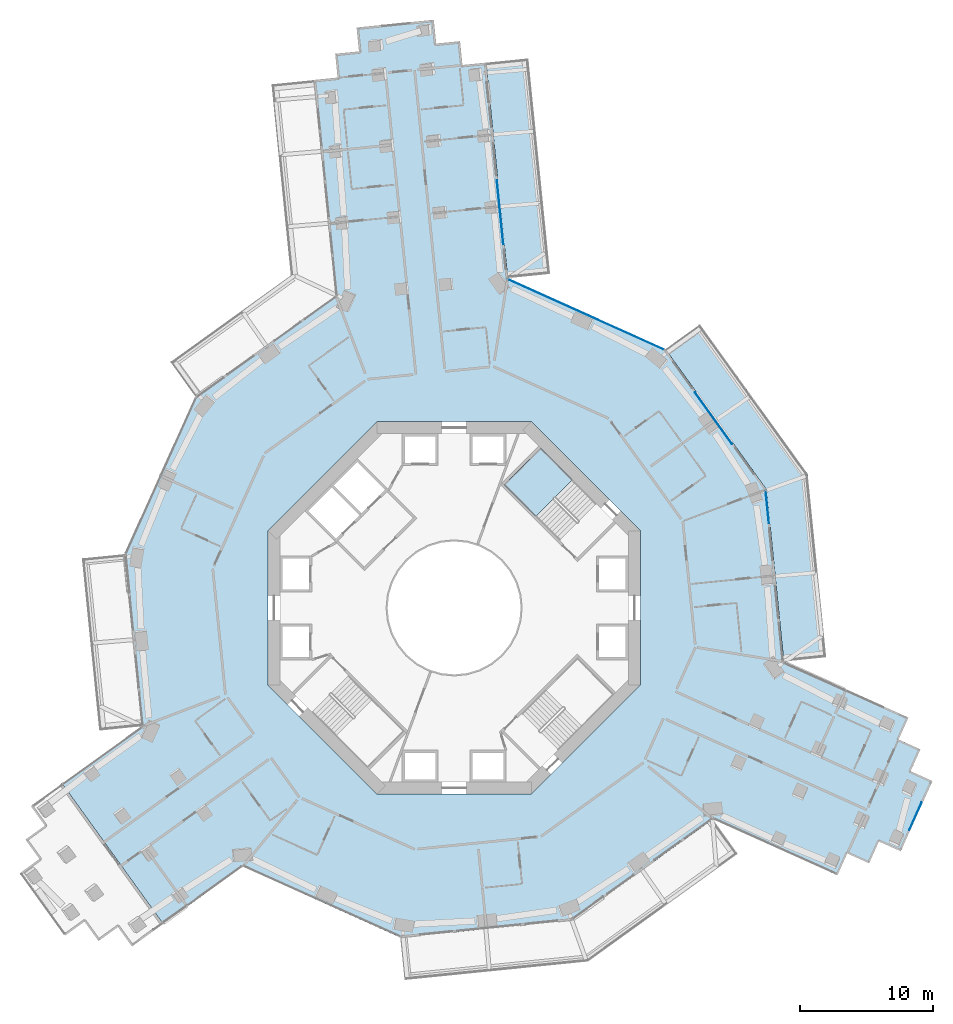
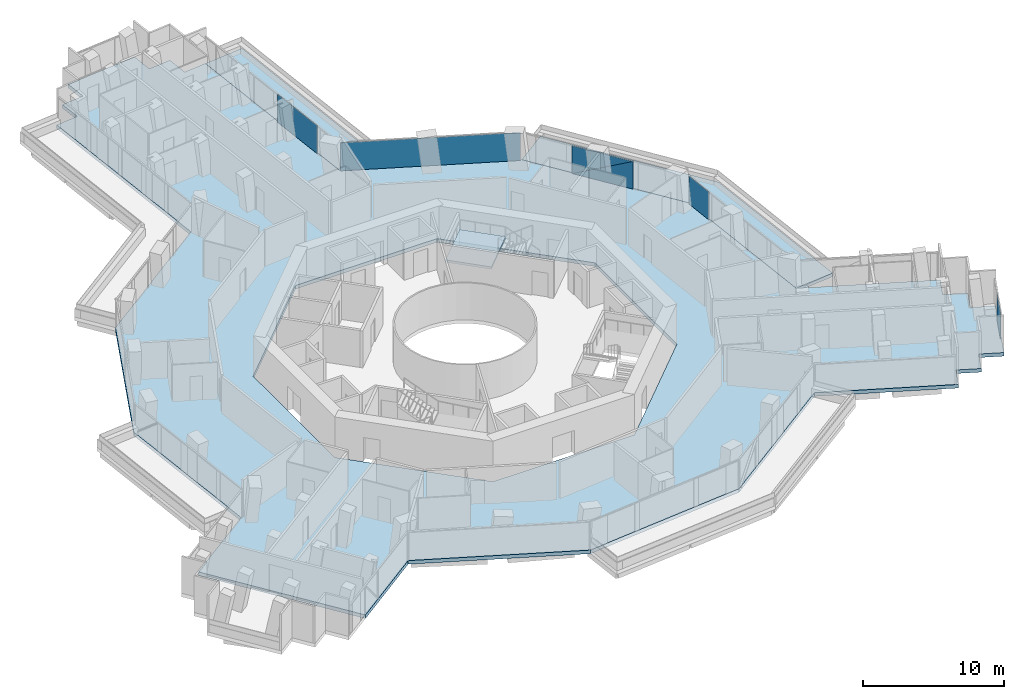
# One storey, part 16 of 26: 6 plates, 4 slabs, 6 elements without a shape of their own.
"""IFC4 building model written with IfcOpenShell, lengths in metres."""

import ifcopenshell
import ifcopenshell.guid

model = None  # the IFC model being written
_history = None  # IfcOwnerHistory: only IFC2X3 demands one
_inside = {}  # id of a spatial element -> (the spatial element, [elements in it])
_under = {}  # id of a project, library or spatial element -> (it, [spatial elements below it])
_declared = {}  # id of a project -> (the project, [libraries it declares])
_typed = {}  # id of a type object -> (the type object, [elements of that type])
_made_of = {}  # id of a material, layer set ... -> (it, [elements and type objects made of it])


def new_model(schema):
    """Start an empty IFC model of exactly this schema.

    Asked for "IFC4X3", IfcOpenShell would pick the latest addendum, in which some entities
    have other attributes; the version numbers below select the first issue.
    IFC2X3 requires an IfcOwnerHistory on every rooted entity: one is made here for all.
    """
    global model, _history
    if schema == "IFC4X3":
        model = ifcopenshell.file(schema_version=(4, 3, 0, 0))
    else:
        model = ifcopenshell.file(schema=schema)
    _inside.clear()
    _under.clear()
    _declared.clear()
    _typed.clear()
    _made_of.clear()
    _history = None
    if model.schema == "IFC2X3":
        org = make("IfcOrganization", Name="unknown")
        user = make(
            "IfcPersonAndOrganization",
            ThePerson=make("IfcPerson", FamilyName="unknown"),
            TheOrganization=org,
        )
        app = make(
            "IfcApplication",
            ApplicationDeveloper=org,
            Version="unknown",
            ApplicationFullName="unknown",
            ApplicationIdentifier="unknown",
        )
        _history = make(
            "IfcOwnerHistory",
            OwningUser=user,
            OwningApplication=app,
            ChangeAction="ADDED",
            CreationDate=0,
        )
    return model


def make(cls, **values):
    """One entity of the class cls with the attributes given. An attribute that is None is left unset."""
    return model.create_entity(
        cls, **{name: value for name, value in values.items() if value is not None}
    )


def rooted(cls, **values):
    """An entity with a GlobalId (a new one), such as an element, a storey or a relation."""
    return make(cls, GlobalId=ifcopenshell.guid.new(), OwnerHistory=_history, **values)


def si_unit(unit_type, name, prefix=None):
    """IfcSIUnit, for example si_unit("LENGTHUNIT", "METRE", prefix="MILLI")."""
    return make("IfcSIUnit", UnitType=unit_type, Prefix=prefix, Name=name)


def assignment(units):
    """IfcUnitAssignment: the units of a project."""
    return None if units is None else make("IfcUnitAssignment", Units=units)


def point(xyz):
    """IfcCartesianPoint."""
    return None if xyz is None else make("IfcCartesianPoint", Coordinates=xyz)


def direction(xyz):
    """IfcDirection."""
    return None if xyz is None else make("IfcDirection", DirectionRatios=xyz)


def frame(location, z_axis=None, x_axis=None):
    """IfcAxis2Placement3D, a coordinate frame: its origin and axes. An axis left out is left unset."""
    return make(
        "IfcAxis2Placement3D",
        Location=point(location),
        Axis=direction(z_axis),
        RefDirection=direction(x_axis),
    )


def frame_2d(location, x_axis=None):
    """IfcAxis2Placement2D, a coordinate frame in the plane: its origin and x axis."""
    return make(
        "IfcAxis2Placement2D", Location=point(location), RefDirection=direction(x_axis)
    )


def origin():
    """The frame at (0, 0, 0) with its axes left unset."""
    return frame((0.0, 0.0, 0.0))


def origin_2d():
    """The frame at (0, 0) in the plane with its x axis left unset."""
    return frame_2d((0.0, 0.0))


def place(relative_to, where):
    """IfcLocalPlacement: puts the frame where relative to a parent placement (None: the world)."""
    return make(
        "IfcLocalPlacement", PlacementRelTo=relative_to, RelativePlacement=where
    )


def context(
    kind, dimensions, precision=None, world=None, true_north=None, identifier=None
):
    """IfcGeometricRepresentationContext, for example the 3D "Model" context."""
    return make(
        "IfcGeometricRepresentationContext",
        ContextIdentifier=identifier,
        ContextType=kind,
        CoordinateSpaceDimension=dimensions,
        Precision=precision,
        WorldCoordinateSystem=world,
        TrueNorth=true_north,
    )


def subcontext(parent, identifier, kind, view, scale=None):
    """IfcGeometricRepresentationSubContext, for example "Body" below "Model"."""
    return make(
        "IfcGeometricRepresentationSubContext",
        ContextIdentifier=identifier,
        ContextType=kind,
        ParentContext=parent,
        TargetScale=scale,
        TargetView=view,
    )


def project(units=None, contexts=None):
    """IfcProject with its units and contexts."""
    return rooted(
        "IfcProject",
        Name="project",
        RepresentationContexts=contexts,
        UnitsInContext=assignment(units),
    )


def spatial(cls, under=None, at=None, **own):
    """A site, building, storey or space (cls), placed at a placement, below another one or the project."""
    s = rooted(cls, ObjectPlacement=at, **own)
    if under is not None:
        _under.setdefault(under.id(), (under, []))[1].append(s)
    return s


def polyline(points):
    """IfcPolyline through the points."""
    return make("IfcPolyline", Points=[point(p) for p in points])


def profile(cls, at=None, kind="AREA", **sizes):
    """A parametric profile (cls). Its sizes go by their IFC names, for example OverallWidth=200.0."""
    return make(cls, ProfileType=kind, Position=at, **sizes)


def rectangle(**sizes):
    """IfcRectangleProfileDef."""
    return profile("IfcRectangleProfileDef", **sizes)


def outline(outer, holes=None, kind="AREA"):
    """IfcArbitraryClosedProfileDef: a profile drawn as a closed curve; with holes, ...WithVoids."""
    if holes is None:
        return make("IfcArbitraryClosedProfileDef", ProfileType=kind, OuterCurve=outer)
    return make(
        "IfcArbitraryProfileDefWithVoids",
        ProfileType=kind,
        OuterCurve=outer,
        InnerCurves=holes,
    )


def extrude(swept, where, along, depth):
    """IfcExtrudedAreaSolid: the profile swept, set in the frame where, extruded along a direction by depth."""
    return make(
        "IfcExtrudedAreaSolid",
        SweptArea=swept,
        Position=where,
        ExtrudedDirection=direction(along),
        Depth=depth,
    )


def shape(context_of_items, identifier, shape_type, items):
    """IfcShapeRepresentation: the items that make up one representation, for example the "Body"."""
    return make(
        "IfcShapeRepresentation",
        ContextOfItems=context_of_items,
        RepresentationIdentifier=identifier,
        RepresentationType=shape_type,
        Items=items,
    )


def material(Name=None, Category=None):
    """IfcMaterial."""
    return make("IfcMaterial", Name=Name, Category=Category)


def layer(
    of_material, thickness, ventilated=None, Name=None, Category=None, Priority=None
):
    """IfcMaterialLayer: one layer of a wall or slab, of a material (None: an air gap)."""
    return make(
        "IfcMaterialLayer",
        Material=of_material,
        LayerThickness=thickness,
        IsVentilated=ventilated,
        Name=Name,
        Category=Category,
        Priority=Priority,
    )


def layer_set(layers, Name=None):
    """IfcMaterialLayerSet."""
    return make("IfcMaterialLayerSet", MaterialLayers=layers, LayerSetName=Name)


def made_of(thing, what):
    """Note that an element or type object is made of a material, layer set ...; save() writes the relation."""
    if what is not None:
        _made_of.setdefault(what.id(), (what, []))[1].append(thing)
    return thing


def type_object(cls, material=None, **own):
    """A type object (cls), such as IfcWallType, which elements share."""
    return made_of(rooted(cls, **own), material)


def element(
    cls,
    number,
    at=None,
    inside=None,
    cuts=None,
    type_object=None,
    material=None,
    context=None,
    identifier="Body",
    shape_type=None,
    held_by="IfcProductDefinitionShape",
    body=None,
    shapes=None,
    **own,
):
    """One element of the class cls, such as IfcWall. Its Tag is "e" and its number.

    at: its placement. inside: the storey or other place that contains it. cuts: it is an
    opening in that element (IfcRelVoidsElement). A single representation is given by context,
    identifier, shape_type and body (its items); several are given by shapes. held_by: the class
    of the entity that holds the representations. save() writes the other relations.
    """
    e = rooted(cls, Tag="e%d" % number, ObjectPlacement=at, **own)
    if body is not None:
        shapes = [shape(context, identifier, shape_type, body)]
    if shapes is not None:
        e.Representation = make(held_by, Representations=shapes)
    if inside is not None:
        _inside.setdefault(inside.id(), (inside, []))[1].append(e)
    if cuts is not None:
        rooted(
            "IfcRelVoidsElement", RelatingBuildingElement=cuts, RelatedOpeningElement=e
        )
    if type_object is not None:
        _typed.setdefault(type_object.id(), (type_object, []))[1].append(e)
    return made_of(e, material)


def aggregate(whole, parts):
    """IfcRelAggregates: a whole, such as a stair, and the parts it consists of."""
    return rooted("IfcRelAggregates", RelatingObject=whole, RelatedObjects=parts)


def save(model, path):
    """Write the relations noted so far, then the file.

    IfcRelAggregates (storeys below a building ...), IfcRelContainedInSpatialStructure (elements
    in a storey), IfcRelDefinesByType, IfcRelAssociatesMaterial and IfcRelDeclares: one each for
    every whole, place, type object, material and project.
    """
    for whole, parts in _under.values():
        aggregate(whole, parts)
    for where, things in _inside.values():
        rooted(
            "IfcRelContainedInSpatialStructure",
            RelatedElements=things,
            RelatingStructure=where,
        )
    for kind, things in _typed.values():
        rooted("IfcRelDefinesByType", RelatedObjects=things, RelatingType=kind)
    for what, things in _made_of.values():
        rooted("IfcRelAssociatesMaterial", RelatedObjects=things, RelatingMaterial=what)
    for by, libraries in _declared.values():
        rooted("IfcRelDeclares", RelatingContext=by, RelatedDefinitions=libraries)
    model.write(path)


model = new_model("IFC4")

# Units and contexts
model_context = context("Model", 3, precision=1e-05, world=origin(), true_north=direction((0.0, 1.0)))
body_context = subcontext(model_context, "Body", "Model", "MODEL_VIEW")
ifc_project = project(units=[si_unit("LENGTHUNIT", "METRE"), si_unit("AREAUNIT", "SQUARE_METRE"), si_unit("VOLUMEUNIT", "CUBIC_METRE"), si_unit("PLANEANGLEUNIT", "RADIAN"), si_unit("MASSUNIT", "GRAM", prefix="KILO")], contexts=[model_context])

# Site, building, storey
site_placement = place(None, origin())
site = spatial("IfcSite", under=ifc_project, at=site_placement, CompositionType="ELEMENT")
building_placement = place(site_placement, origin())
building = spatial("IfcBuilding", under=site, at=building_placement, Name="Verdalira Terraces Hotel", CompositionType="ELEMENT")
storey_placement = place(building_placement, frame((0.0, 0.0, 56.5)))
storey = spatial("IfcBuildingStorey", under=building, at=storey_placement, Name="L12", CompositionType="ELEMENT", Elevation=56.5)

# Slabs
ifc_material_1 = material(Name="Precast concrete C40/50", Category="concrete")
ifc_layer_1 = layer(ifc_material_1, 0.31005859375)
ifc_layer_set_1 = layer_set([ifc_layer_1], Name="Balcony deck 310")
slab_type_1 = type_object("IfcSlabType", Name="Balcony deck 310", PredefinedType="FLOOR", material=ifc_layer_set_1)
slab_1_placement = place(storey_placement, frame((0.0, 0.0, -0.310059)))
element("IfcSlab", 1, at=slab_1_placement, inside=storey, type_object=slab_type_1, Name="Balcony deck", PredefinedType="FLOOR", context=body_context, shape_type="SweptSolid", body=[
    extrude(outline(polyline([(18.483154, 21.321045), (15.886475, 19.450928), (23.483398, 8.901855), (24.788086, -4.032471), (27.971924, -3.711426), (26.581299, 10.076172), (18.483154, 21.321045)])), origin(), (0.0, 0.0, 1.0), 0.310059),
])
slab_2_placement = place(storey_placement, frame((0.0, 0.0, -0.310059)))
element("IfcSlab", 2, at=slab_2_placement, inside=storey, type_object=slab_type_1, Name="Balcony deck", PredefinedType="FLOOR", context=body_context, shape_type="SweptSolid", body=[
    extrude(outline(polyline([(5.583496, 41.298096), (2.399658, 40.976807), (4.032471, 24.788086), (7.216309, 25.109375), (5.583496, 41.298096)])), origin(), (0.0, 0.0, 1.0), 0.310059),
])

# Curtain wall, plate
ifc_material_2 = material(Name="Clear glass", Category="glass")
ifc_layer_2 = layer(ifc_material_2, 0.14990234375)
ifc_layer_set_2 = layer_set([ifc_layer_2], Name="CW1 curtain wall")
curtain_wall_type_1 = type_object("IfcCurtainWallType", Name="CW1 curtain wall", PredefinedType="NOTDEFINED", material=ifc_layer_set_2)
curtain_wall_1_placement = place(storey_placement, origin())
curtain_wall_1 = element("IfcCurtainWall", 3, at=curtain_wall_1_placement, inside=storey, type_object=curtain_wall_type_1, Name="CW1 curtain wall L12 edge 39", PredefinedType="NOTDEFINED")
ifc_material_3 = material(Name="Clear glass", Category="glass")
ifc_layer_3 = layer(ifc_material_3, 0.028076171875)
ifc_layer_set_3 = layer_set([ifc_layer_3], Name="CW1 glass unit 28")
plate_type_1 = type_object("IfcPlateType", Name="CW1 glass unit 28", PredefinedType="CURTAIN_PANEL", material=ifc_layer_set_3)
plate_1_placement = place(storey_placement, frame((23.54126, 7.581055, 0.0), z_axis=(0.0, 0.0, 1.0), x_axis=(-0.100361715, 0.994951017, 0.0)))
plate_1 = element("IfcPlate", 4, at=plate_1_placement, type_object=plate_type_1, Name="CW1 glass unit", PredefinedType="CURTAIN_PANEL", context=body_context, shape_type="SweptSolid", body=[
    extrude(rectangle(XDim=2.439209, YDim=0.028076, at=origin_2d()), origin(), (0.0, 0.0, 1.0), 2.425049),
])
aggregate(curtain_wall_1, [plate_1])

# Curtain wall, plates
curtain_wall_2_placement = place(storey_placement, origin())
curtain_wall_2 = element("IfcCurtainWall", 5, at=curtain_wall_2_placement, inside=storey, type_object=curtain_wall_type_1, Name="CW1 curtain wall L12 edge 40", PredefinedType="NOTDEFINED")
plate_2_placement = place(storey_placement, frame((19.508301, 14.269043, 1.212402), z_axis=(0.811471999, 0.584391303, 0.0), x_axis=(-0.584391303, 0.811471999, 0.0)))
plate_2 = element("IfcPlate", 6, at=plate_2_placement, type_object=plate_type_1, Name="CW1 glass unit", PredefinedType="CURTAIN_PANEL", context=body_context, shape_type="SweptSolid", body=[
    extrude(outline(polyline([(-2.379639, -1.212402), (2.379639, -1.212402), (-2.379639, 1.212402), (-2.379639, -1.212402)])), origin(), (0.0, 0.0, 1.0), 0.028076),
])
plate_3_placement = place(storey_placement, frame((19.484863, 14.252197, 1.212402), z_axis=(0.811471999, 0.584391303, 0.0), x_axis=(-0.584391303, 0.811471999, 0.0)))
plate_3 = element("IfcPlate", 7, at=plate_3_placement, type_object=plate_type_1, Name="CW1 glass unit", PredefinedType="CURTAIN_PANEL", context=body_context, shape_type="SweptSolid", body=[
    extrude(outline(polyline([(2.379639, -1.212402), (2.379639, 1.212402), (-2.379639, 1.212402), (2.379639, -1.212402)])), origin(), (0.0, 0.0, 1.0), 0.028076),
])
aggregate(curtain_wall_2, [plate_2, plate_3])

# Curtain wall, plate
curtain_wall_3_placement = place(storey_placement, origin())
curtain_wall_3 = element("IfcCurtainWall", 8, at=curtain_wall_3_placement, inside=storey, type_object=curtain_wall_type_1, Name="CW1 curtain wall L12 edge 41", PredefinedType="NOTDEFINED")
plate_4_placement = place(storey_placement, frame((9.9104, 22.059326, 0.0), z_axis=(0.0, 0.0, 1.0), x_axis=(-0.911833714, 0.410559714, 0.0)))
plate_4 = element("IfcPlate", 9, at=plate_4_placement, type_object=plate_type_1, Name="CW1 glass unit", PredefinedType="CURTAIN_PANEL", context=body_context, shape_type="SweptSolid", body=[
    extrude(rectangle(XDim=12.839844, YDim=0.028076, at=origin_2d()), origin(), (0.0, 0.0, 1.0), 2.425049),
])
aggregate(curtain_wall_3, [plate_4])

ifc_material_4 = material(Name="Clear glass", Category="glass")
ifc_layer_4 = layer(ifc_material_4, 0.14990234375)
ifc_layer_set_4 = layer_set([ifc_layer_4], Name="CW2 curtain wall")
curtain_wall_type_2 = type_object("IfcCurtainWallType", Name="CW2 curtain wall", PredefinedType="NOTDEFINED", material=ifc_layer_set_4)
curtain_wall_4_placement = place(storey_placement, origin())
curtain_wall_4 = element("IfcCurtainWall", 10, at=curtain_wall_4_placement, inside=storey, type_object=curtain_wall_type_2, Name="CW2 curtain wall L12 edge 0", PredefinedType="NOTDEFINED")
ifc_material_5 = material(Name="Clear glass", Category="glass")
ifc_layer_5 = layer(ifc_material_5, 0.031982421875)
ifc_layer_set_5 = layer_set([ifc_layer_5], Name="CW2 glass unit 32")
plate_type_2 = type_object("IfcPlateType", Name="CW2 glass unit 32", PredefinedType="CURTAIN_PANEL", material=ifc_layer_set_5)
plate_5_placement = place(storey_placement, frame((3.457764, 29.740234, 0.0), z_axis=(0.0, 0.0, 1.0), x_axis=(-0.100361715, 0.994951017, 0.0)))
plate_5 = element("IfcPlate", 11, at=plate_5_placement, type_object=plate_type_2, Name="CW2 glass unit", PredefinedType="CURTAIN_PANEL", context=body_context, shape_type="SweptSolid", body=[
    extrude(rectangle(XDim=4.825928, YDim=0.031982, at=origin_2d()), origin(), (0.0, 0.0, 1.0), 2.425049),
])
aggregate(curtain_wall_4, [plate_5])

ifc_material_6 = material(Name="Clear glass", Category="glass")
ifc_layer_6 = layer(ifc_material_6, 0.14990234375)
ifc_layer_set_6 = layer_set([ifc_layer_6], Name="CW3 curtain wall")
curtain_wall_type_3 = type_object("IfcCurtainWallType", Name="CW3 curtain wall", PredefinedType="NOTDEFINED", material=ifc_layer_set_6)
curtain_wall_5_placement = place(storey_placement, origin())
curtain_wall_5 = element("IfcCurtainWall", 12, at=curtain_wall_5_placement, inside=storey, type_object=curtain_wall_type_3, Name="CW3 curtain wall L12 edge 33", PredefinedType="NOTDEFINED")
ifc_material_7 = material(Name="Clear glass", Category="glass")
ifc_layer_7 = layer(ifc_material_7, 0.035888671875)
ifc_layer_set_7 = layer_set([ifc_layer_7], Name="CW3 glass unit 36")
plate_type_3 = type_object("IfcPlateType", Name="CW3 glass unit 36", PredefinedType="CURTAIN_PANEL", material=ifc_layer_set_7)
plate_6_placement = place(storey_placement, frame((34.680176, -15.665527, 0.0), z_axis=(0.0, 0.0, 1.0), x_axis=(0.410559714, 0.911833714, 0.0)))
plate_6 = element("IfcPlate", 13, at=plate_6_placement, type_object=plate_type_3, Name="CW3 glass unit", PredefinedType="CURTAIN_PANEL", context=body_context, shape_type="SweptSolid", body=[
    extrude(rectangle(XDim=2.271973, YDim=0.035889, at=origin_2d()), origin(), (0.0, 0.0, 1.0), 2.425049),
])
aggregate(curtain_wall_5, [plate_6])

# Stair, slab
ifc_material_8 = material(Name="Concrete C40", Category="concrete")
stair_type = type_object("IfcStairType", Name="Core stair 20 risers 1900 mm wide", PredefinedType="HALF_TURN_STAIR", material=ifc_material_8)
stair_placement = place(storey_placement, origin())
stair = element("IfcStair", 14, at=stair_placement, inside=storey, type_object=stair_type, Name="L12 Exit stair ST1", PredefinedType="HALF_TURN_STAIR")
ifc_material_9 = material(Name="Concrete C40", Category="concrete")
ifc_layer_8 = layer(ifc_material_9, 0.199951171875)
ifc_layer_set_8 = layer_set([ifc_layer_8], Name="Core stair landing 200 mm")
slab_type_2 = type_object("IfcSlabType", Name="Core stair landing 200 mm", PredefinedType="LANDING", material=ifc_layer_set_8)
slab_3_placement = place(storey_placement, frame((0.0, 0.0, 1.550049)))
slab_3 = element("IfcSlab", 15, at=slab_3_placement, type_object=slab_type_2, Name="ST1 landing 1", PredefinedType="LANDING", context=body_context, shape_type="SweptSolid", body=[
    extrude(outline(polyline([(8.895752, 9.630371), (6.505371, 12.020752), (3.747559, 9.263184), (6.137939, 6.872803), (8.895752, 9.630371)])), origin(), (0.0, 0.0, 1.0), 0.199951),
])
aggregate(stair, [slab_3])

# Slab
ifc_material_10 = material(Name="Concrete C40", Category="concrete")
ifc_layer_9 = layer(ifc_material_10, 0.31005859375)
ifc_layer_set_9 = layer_set([ifc_layer_9], Name="Floor slab 310 C40")
slab_type_3 = type_object("IfcSlabType", Name="Floor slab 310 C40", PredefinedType="FLOOR", material=ifc_layer_set_9)
slab_4_placement = place(storey_placement, frame((0.0, 0.0, -0.310059)))
element("IfcSlab", 16, at=slab_4_placement, inside=storey, type_object=slab_type_3, Name="Floor slab L12", PredefinedType="FLOOR", context=body_context, shape_type="SweptSolid", body=[
    extrude(outline(polyline([(-24.788086, 4.032715), (-23.483398, -8.901855), (-29.464355, -13.208984), (-21.867188, -23.758057), (-15.886475, -19.450928), (-4.032715, -24.788086), (8.901855, -23.483398), (19.450928, -15.886475), (28.816162, -20.103271), (29.555176, -18.461914), (31.196533, -19.200928), (31.935547, -17.55957), (33.576904, -18.298584), (35.958008, -13.01001), (34.316895, -12.270996), (35.055908, -10.629639), (33.414551, -9.890625), (34.153564, -8.249512), (24.788086, -4.032715), (23.483398, 8.901855), (15.886475, 19.450928), (4.032715, 24.788086), (2.399658, 40.976807), (0.608643, 40.796143), (0.427979, 42.587158), (-1.362793, 42.406494), (-1.543457, 44.19751), (-7.314209, 43.615234), (-7.133545, 41.824463), (-8.924561, 41.643799), (-8.743896, 39.852783), (-10.534912, 39.672119), (-8.901855, 23.483398), (-19.450928, 15.886475), (-24.788086, 4.032715)]), holes=[polyline([(5.799072, 14.0), (14.0, 5.799072), (14.0, -5.799072), (5.799072, -14.0), (-5.799072, -14.0), (-14.0, -5.799072), (-14.0, 5.799072), (-5.799072, 14.0), (5.799072, 14.0)])]), origin(), (0.0, 0.0, 1.0), 0.310059),
])

save(model, "model.ifc")
